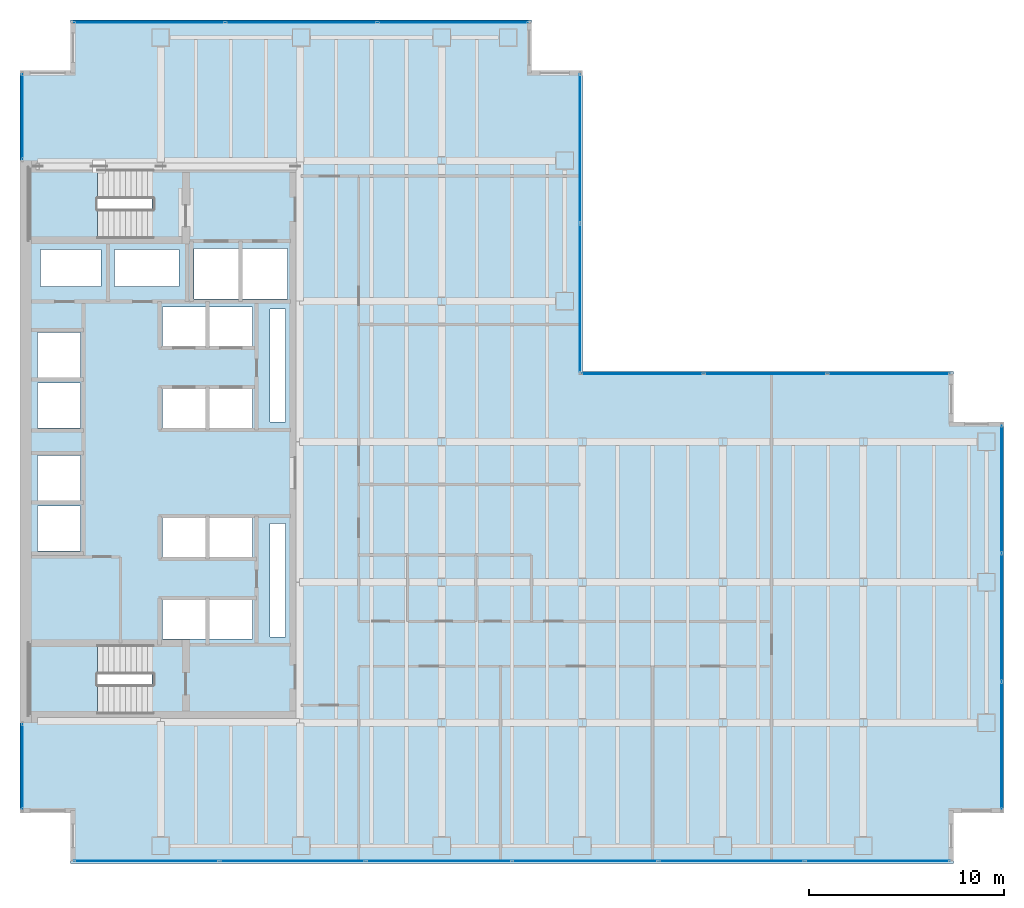
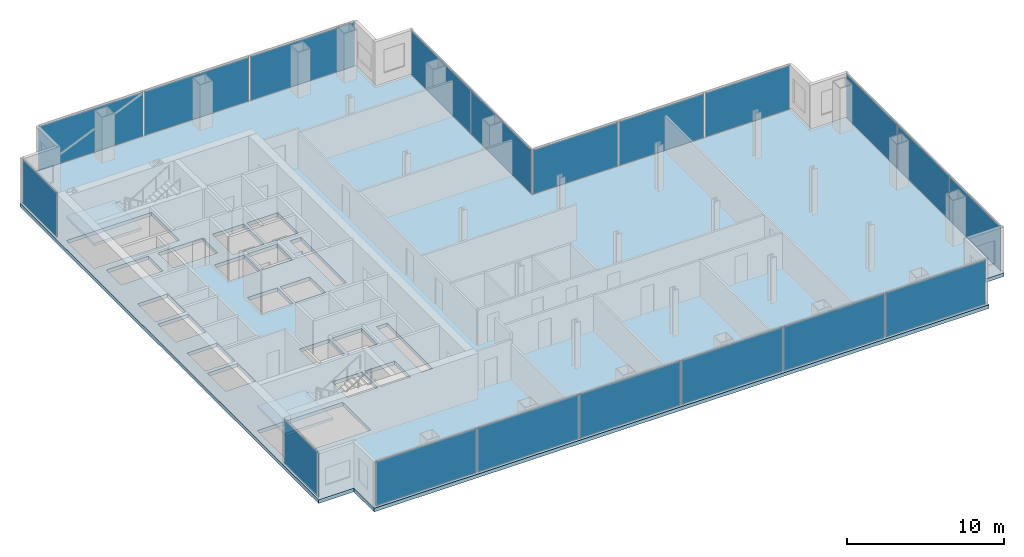
# One storey, part 19 of 23: 19 plates, 3 slabs, 20 openings, 9 elements without a shape of their own.
"""IFC4 building model written with IfcOpenShell, lengths in metres."""

from ifc_helpers import new_model, si_unit, direction, frame, origin, origin_2d, place, context, subcontext, project, spatial, polyline, rectangle, outline, extrude, material, layer, layer_set, type_object, element, aggregate, save


model = new_model("IFC4")

# Units and contexts
model_context = context("Model", 3, precision=1e-05, world=origin(), true_north=direction((0.0, 1.0)))
body_context = subcontext(model_context, "Body", "Model", "MODEL_VIEW")
ifc_project = project(units=[si_unit("LENGTHUNIT", "METRE"), si_unit("AREAUNIT", "SQUARE_METRE"), si_unit("VOLUMEUNIT", "CUBIC_METRE"), si_unit("PLANEANGLEUNIT", "RADIAN"), si_unit("MASSUNIT", "GRAM", prefix="KILO")], contexts=[model_context])

# Site, building, storey
site_placement = place(None, origin())
site = spatial("IfcSite", under=ifc_project, at=site_placement, CompositionType="ELEMENT")
building_placement = place(site_placement, origin())
building = spatial("IfcBuilding", under=site, at=building_placement, Name="Cobrela Telecom Tower", CompositionType="ELEMENT")
storey_placement = place(building_placement, frame((0.0, 0.0, 88.89990234375)))
storey = spatial("IfcBuildingStorey", under=building, at=storey_placement, Name="L22", CompositionType="ELEMENT", Elevation=88.89990234375)

# Curtain wall, plate
ifc_material_1 = material(Name="Anodized Bronze Aluminium 6063-T6", Category="aluminium")
curtain_wall_type = type_object("IfcCurtainWallType", Name="CW-SYS-DATA", PredefinedType="USERDEFINED", material=ifc_material_1)
curtain_wall_1_placement = place(storey_placement, origin())
curtain_wall_1 = element("IfcCurtainWall", 1, at=curtain_wall_1_placement, inside=storey, type_object=curtain_wall_type, Name="L22 Unitised Bronze Curtain Wall 03", ObjectType="UNITISED CURTAIN WALL", PredefinedType="USERDEFINED")
ifc_material_2 = material(Name="Solar-Control Bronze Low-E Glass", Category="glass")
ifc_layer_1 = layer(ifc_material_2, 0.0380859375)
ifc_layer_set_1 = layer_set([ifc_layer_1], Name="Solar-Control Bronze Low-E Glass")
plate_type = type_object("IfcPlateType", Name="CW-SYS-DATA-PNL", PredefinedType="CURTAIN_PANEL", material=ifc_layer_set_1)
plate_1_placement = place(storey_placement, frame((0.1201171875, 4.955078125, 0.0751953125), z_axis=(0.0, 0.0, 1.0), x_axis=(0.0, 1.0, 0.0)))
plate_1 = element("IfcPlate", 2, at=plate_1_placement, type_object=plate_type, Name="CW-DATA panel 1.1", PredefinedType="CURTAIN_PANEL", context=body_context, shape_type="SweptSolid", body=[
    extrude(rectangle(XDim=4.330078125, YDim=0.0380859375, at=origin_2d()), origin(), (0.0, 0.0, 1.0), 3.419921875),
])
aggregate(curtain_wall_1, [plate_1])

curtain_wall_2_placement = place(storey_placement, origin())
curtain_wall_2 = element("IfcCurtainWall", 3, at=curtain_wall_2_placement, inside=storey, type_object=curtain_wall_type, Name="L22 Unitised Bronze Curtain Wall 04", ObjectType="UNITISED CURTAIN WALL", PredefinedType="USERDEFINED")
plate_2_placement = place(storey_placement, frame((0.1201171875, 38.2451171875, 0.0751953125), z_axis=(0.0, 0.0, 1.0), x_axis=(0.0, 1.0, 0.0)))
plate_2 = element("IfcPlate", 4, at=plate_2_placement, type_object=plate_type, Name="CW-DATA panel 1.1", PredefinedType="CURTAIN_PANEL", context=body_context, shape_type="SweptSolid", body=[
    extrude(rectangle(XDim=4.330078125, YDim=0.0380859375, at=origin_2d()), origin(), (0.0, 0.0, 1.0), 3.419921875),
])
aggregate(curtain_wall_2, [plate_2])

# Curtain wall, plates
curtain_wall_3_placement = place(storey_placement, origin())
curtain_wall_3 = element("IfcCurtainWall", 5, at=curtain_wall_3_placement, inside=storey, type_object=curtain_wall_type, Name="L22 Unitised Bronze Curtain Wall 07", ObjectType="UNITISED CURTAIN WALL", PredefinedType="USERDEFINED")
plate_3_placement = place(storey_placement, frame((6.626708984375, 43.080078125, 0.0751953125), z_axis=(0.0, 0.0, 1.0), x_axis=(1.0, 0.0, 0.0)))
plate_3 = element("IfcPlate", 6, at=plate_3_placement, type_object=plate_type, Name="CW-DATA panel 1.1", PredefinedType="CURTAIN_PANEL", context=body_context, shape_type="SweptSolid", body=[
    extrude(rectangle(XDim=7.67333984375, YDim=0.0380859375, at=origin_2d()), origin(), (0.0, 0.0, 1.0), 3.419921875),
])
plate_4_placement = place(storey_placement, frame((14.39990234375, 43.080078125, 0.0751953125), z_axis=(0.0, 0.0, 1.0), x_axis=(1.0, 0.0, 0.0)))
plate_4 = element("IfcPlate", 7, at=plate_4_placement, type_object=plate_type, Name="CW-DATA panel 2.1", PredefinedType="CURTAIN_PANEL", context=body_context, shape_type="SweptSolid", body=[
    extrude(rectangle(XDim=7.71337890625, YDim=0.0380859375, at=origin_2d()), origin(), (0.0, 0.0, 1.0), 3.419921875),
])
plate_5_placement = place(storey_placement, frame((22.17333984375, 43.080078125, 0.0751953125), z_axis=(0.0, 0.0, 1.0), x_axis=(1.0, 0.0, 0.0)))
plate_5 = element("IfcPlate", 8, at=plate_5_placement, type_object=plate_type, Name="CW-DATA panel 3.1", PredefinedType="CURTAIN_PANEL", context=body_context, shape_type="SweptSolid", body=[
    extrude(rectangle(XDim=7.67333984375, YDim=0.0380859375, at=origin_2d()), origin(), (0.0, 0.0, 1.0), 3.419921875),
])
aggregate(curtain_wall_3, [plate_3, plate_4, plate_5])

curtain_wall_4_placement = place(storey_placement, origin())
curtain_wall_4 = element("IfcCurtainWall", 9, at=curtain_wall_4_placement, inside=storey, type_object=curtain_wall_type, Name="L22 Unitised Bronze Curtain Wall 10", ObjectType="UNITISED CURTAIN WALL", PredefinedType="USERDEFINED")
plate_6_placement = place(storey_placement, frame((28.679931640625, 36.617431640625, 0.0751953125), z_axis=(0.0, 0.0, 1.0), x_axis=(0.0, -1.0, 0.0)))
plate_6 = element("IfcPlate", 10, at=plate_6_placement, type_object=plate_type, Name="CW-DATA panel 1.1", PredefinedType="CURTAIN_PANEL", context=body_context, shape_type="SweptSolid", body=[
    extrude(rectangle(XDim=7.5849609375, YDim=0.0380859375, at=origin_2d()), origin(), (0.0, 0.0, 1.0), 3.419921875),
])
plate_7_placement = place(storey_placement, frame((28.679931640625, 28.952392578125, 0.0751953125), z_axis=(0.0, 0.0, 1.0), x_axis=(0.0, -1.0, 0.0)))
plate_7 = element("IfcPlate", 11, at=plate_7_placement, type_object=plate_type, Name="CW-DATA panel 2.1", PredefinedType="CURTAIN_PANEL", context=body_context, shape_type="SweptSolid", body=[
    extrude(rectangle(XDim=7.5849609375, YDim=0.0380859375, at=origin_2d()), origin(), (0.0, 0.0, 1.0), 3.419921875),
])
aggregate(curtain_wall_4, [plate_6, plate_7])

curtain_wall_5_placement = place(storey_placement, origin())
curtain_wall_5 = element("IfcCurtainWall", 12, at=curtain_wall_5_placement, inside=storey, type_object=curtain_wall_type, Name="L22 Unitised Bronze Curtain Wall 11", ObjectType="UNITISED CURTAIN WALL", PredefinedType="USERDEFINED")
plate_8_placement = place(storey_placement, frame((31.868408203125, 25.080078125, 0.0751953125), z_axis=(0.0, 0.0, 1.0), x_axis=(1.0, 0.0, 0.0)))
plate_8 = element("IfcPlate", 13, at=plate_8_placement, type_object=plate_type, Name="CW-DATA panel 1.1", PredefinedType="CURTAIN_PANEL", context=body_context, shape_type="SweptSolid", body=[
    extrude(rectangle(XDim=6.216552734375, YDim=0.0380859375, at=origin_2d()), origin(), (0.0, 0.0, 1.0), 3.419921875),
])
plate_9_placement = place(storey_placement, frame((38.18505859375, 25.080078125, 0.0751953125), z_axis=(0.0, 0.0, 1.0), x_axis=(1.0, 0.0, 0.0)))
plate_9 = element("IfcPlate", 14, at=plate_9_placement, type_object=plate_type, Name="CW-DATA panel 2.1", PredefinedType="CURTAIN_PANEL", context=body_context, shape_type="SweptSolid", body=[
    extrude(rectangle(XDim=6.256591796875, YDim=0.0380859375, at=origin_2d()), origin(), (0.0, 0.0, 1.0), 3.419921875),
])
plate_10_placement = place(storey_placement, frame((44.501708984375, 25.080078125, 0.0751953125), z_axis=(0.0, 0.0, 1.0), x_axis=(1.0, 0.0, 0.0)))
plate_10 = element("IfcPlate", 15, at=plate_10_placement, type_object=plate_type, Name="CW-DATA panel 3.1", PredefinedType="CURTAIN_PANEL", context=body_context, shape_type="SweptSolid", body=[
    extrude(rectangle(XDim=6.216552734375, YDim=0.0380859375, at=origin_2d()), origin(), (0.0, 0.0, 1.0), 3.419921875),
])
aggregate(curtain_wall_5, [plate_8, plate_9, plate_10])

curtain_wall_6_placement = place(storey_placement, origin())
curtain_wall_6 = element("IfcCurtainWall", 16, at=curtain_wall_6_placement, inside=storey, type_object=curtain_wall_type, Name="L22 Unitised Bronze Curtain Wall 14", ObjectType="UNITISED CURTAIN WALL", PredefinedType="USERDEFINED")
plate_11_placement = place(storey_placement, frame((50.280029296875, 19.17333984375, 0.0751953125), z_axis=(0.0, 0.0, 1.0), x_axis=(0.0, -1.0, 0.0)))
plate_11 = element("IfcPlate", 17, at=plate_11_placement, type_object=plate_type, Name="CW-DATA panel 1.1", PredefinedType="CURTAIN_PANEL", context=body_context, shape_type="SweptSolid", body=[
    extrude(rectangle(XDim=6.473388671875, YDim=0.0380859375, at=origin_2d()), origin(), (0.0, 0.0, 1.0), 3.419921875),
])
plate_12_placement = place(storey_placement, frame((50.280029296875, 12.60009765625, 0.0751953125), z_axis=(0.0, 0.0, 1.0), x_axis=(0.0, -1.0, 0.0)))
plate_12 = element("IfcPlate", 18, at=plate_12_placement, type_object=plate_type, Name="CW-DATA panel 2.1", PredefinedType="CURTAIN_PANEL", context=body_context, shape_type="SweptSolid", body=[
    extrude(rectangle(XDim=6.513427734375, YDim=0.0380859375, at=origin_2d()), origin(), (0.0, 0.0, 1.0), 3.419921875),
])
plate_13_placement = place(storey_placement, frame((50.280029296875, 6.026611328125, 0.0751953125), z_axis=(0.0, 0.0, 1.0), x_axis=(0.0, -1.0, 0.0)))
plate_13 = element("IfcPlate", 19, at=plate_13_placement, type_object=plate_type, Name="CW-DATA panel 3.1", PredefinedType="CURTAIN_PANEL", context=body_context, shape_type="SweptSolid", body=[
    extrude(rectangle(XDim=6.473388671875, YDim=0.0380859375, at=origin_2d()), origin(), (0.0, 0.0, 1.0), 3.419921875),
])
aggregate(curtain_wall_6, [plate_11, plate_12, plate_13])

curtain_wall_7_placement = place(storey_placement, origin())
curtain_wall_7 = element("IfcCurtainWall", 20, at=curtain_wall_7_placement, inside=storey, type_object=curtain_wall_type, Name="L22 Unitised Bronze Curtain Wall 17", ObjectType="UNITISED CURTAIN WALL", PredefinedType="USERDEFINED")
plate_14_placement = place(storey_placement, frame((43.921630859375, 0.1201171875, 0.0751953125), z_axis=(0.0, 0.0, 1.0), x_axis=(-1.0, 0.0, 0.0)))
plate_14 = element("IfcPlate", 21, at=plate_14_placement, type_object=plate_type, Name="CW-DATA panel 1.1", PredefinedType="CURTAIN_PANEL", context=body_context, shape_type="SweptSolid", body=[
    extrude(rectangle(XDim=7.376708984375, YDim=0.0380859375, at=origin_2d()), origin(), (0.0, 0.0, 1.0), 3.419921875),
])
plate_15_placement = place(storey_placement, frame((36.445068359375, 0.1201171875, 0.0751953125), z_axis=(0.0, 0.0, 1.0), x_axis=(-1.0, 0.0, 0.0)))
plate_15 = element("IfcPlate", 22, at=plate_15_placement, type_object=plate_type, Name="CW-DATA panel 2.1", PredefinedType="CURTAIN_PANEL", context=body_context, shape_type="SweptSolid", body=[
    extrude(rectangle(XDim=7.416748046875, YDim=0.0380859375, at=origin_2d()), origin(), (0.0, 0.0, 1.0), 3.419921875),
])
plate_16_placement = place(storey_placement, frame((28.9482421875, 0.1201171875, 0.0751953125), z_axis=(0.0, 0.0, 1.0), x_axis=(-1.0, 0.0, 0.0)))
plate_16 = element("IfcPlate", 23, at=plate_16_placement, type_object=plate_type, Name="CW-DATA panel 3.1", PredefinedType="CURTAIN_PANEL", context=body_context, shape_type="SweptSolid", body=[
    extrude(rectangle(XDim=7.416748046875, YDim=0.0380859375, at=origin_2d()), origin(), (0.0, 0.0, 1.0), 3.419921875),
])
plate_17_placement = place(storey_placement, frame((21.45166015625, 0.1201171875, 0.0751953125), z_axis=(0.0, 0.0, 1.0), x_axis=(-1.0, 0.0, 0.0)))
plate_17 = element("IfcPlate", 24, at=plate_17_placement, type_object=plate_type, Name="CW-DATA panel 4.1", PredefinedType="CURTAIN_PANEL", context=body_context, shape_type="SweptSolid", body=[
    extrude(rectangle(XDim=7.416748046875, YDim=0.0380859375, at=origin_2d()), origin(), (0.0, 0.0, 1.0), 3.419921875),
])
plate_18_placement = place(storey_placement, frame((13.955078125, 0.1201171875, 0.0751953125), z_axis=(0.0, 0.0, 1.0), x_axis=(-1.0, 0.0, 0.0)))
plate_18 = element("IfcPlate", 25, at=plate_18_placement, type_object=plate_type, Name="CW-DATA panel 5.1", PredefinedType="CURTAIN_PANEL", context=body_context, shape_type="SweptSolid", body=[
    extrude(rectangle(XDim=7.416748046875, YDim=0.0380859375, at=origin_2d()), origin(), (0.0, 0.0, 1.0), 3.419921875),
])
plate_19_placement = place(storey_placement, frame((6.478271484375, 0.1201171875, 0.0751953125), z_axis=(0.0, 0.0, 1.0), x_axis=(-1.0, 0.0, 0.0)))
plate_19 = element("IfcPlate", 26, at=plate_19_placement, type_object=plate_type, Name="CW-DATA panel 6.1", PredefinedType="CURTAIN_PANEL", context=body_context, shape_type="SweptSolid", body=[
    extrude(rectangle(XDim=7.376708984375, YDim=0.0380859375, at=origin_2d()), origin(), (0.0, 0.0, 1.0), 3.419921875),
])
aggregate(curtain_wall_7, [plate_14, plate_15, plate_16, plate_17, plate_18, plate_19])

# Slab, openings
ifc_material_3 = material(Name="Concrete C40/50", Category="concrete")
ifc_layer_2 = layer(ifc_material_3, 0.280029296875)
ifc_layer_set_2 = layer_set([ifc_layer_2], Name="Concrete C40/50")
slab_type_1 = type_object("IfcSlabType", Name="SLAB-FLR-280", PredefinedType="FLOOR", material=ifc_layer_set_2)
slab_1_placement = place(storey_placement, frame((0.0, 0.0, -0.27978515625)))
slab_1 = element("IfcSlab", 27, at=slab_1_placement, inside=storey, type_object=slab_type_1, Name="L22 Structural Floor Slab", PredefinedType="FLOOR", context=body_context, shape_type="SweptSolid", body=[
    extrude(outline(polyline([(2.590087890625, 0.0), (47.81005859375, 0.0), (47.81005859375, 2.590087890625), (50.39990234375, 2.590087890625), (50.39990234375, 22.610107421875), (47.81005859375, 22.610107421875), (47.81005859375, 25.199951171875), (28.800048828125, 25.199951171875), (28.800048828125, 40.610107421875), (26.2099609375, 40.610107421875), (26.2099609375, 43.199951171875), (2.590087890625, 43.199951171875), (2.590087890625, 40.610107421875), (0.0, 40.610107421875), (0.0, 2.590087890625), (2.590087890625, 2.590087890625), (2.590087890625, 0.0)])), origin(), (0.0, 0.0, 1.0), 0.27978515625),
])
opening_1_placement = place(slab_1_placement, frame((0.0, 0.0, -0.02001953125)))
element("IfcOpeningElement", 28, at=opening_1_placement, cuts=slab_1, Name="Slab Shaft Opening SLAB-L22-MAIN.1", PredefinedType="OPENING", context=body_context, shape_type="SweptSolid", body=[
    extrude(outline(polyline([(8.89990234375, 28.89990234375), (11.199951171875, 28.89990234375), (11.199951171875, 31.5), (8.89990234375, 31.5), (8.89990234375, 28.89990234375)])), origin(), (0.0, 0.0, 1.0), 0.31982421875),
])
opening_2_placement = place(slab_1_placement, frame((0.0, 0.0, -0.02001953125)))
element("IfcOpeningElement", 29, at=opening_2_placement, cuts=slab_1, Name="Slab Shaft Opening SLAB-L22-MAIN.2", PredefinedType="OPENING", context=body_context, shape_type="SweptSolid", body=[
    extrude(outline(polyline([(11.39990234375, 28.89990234375), (13.699951171875, 28.89990234375), (13.699951171875, 31.5), (11.39990234375, 31.5), (11.39990234375, 28.89990234375)])), origin(), (0.0, 0.0, 1.0), 0.31982421875),
])
opening_3_placement = place(slab_1_placement, frame((0.0, 0.0, -0.02001953125)))
element("IfcOpeningElement", 30, at=opening_3_placement, cuts=slab_1, Name="Slab Shaft Opening SLAB-L22-MAIN.3", PredefinedType="OPENING", context=body_context, shape_type="SweptSolid", body=[
    extrude(outline(polyline([(7.300048828125, 22.300048828125), (9.5, 22.300048828125), (9.5, 24.300048828125), (7.300048828125, 24.300048828125), (7.300048828125, 22.300048828125)])), origin(), (0.0, 0.0, 1.0), 0.31982421875),
])
opening_4_placement = place(slab_1_placement, frame((0.0, 0.0, -0.02001953125)))
element("IfcOpeningElement", 31, at=opening_4_placement, cuts=slab_1, Name="Slab Shaft Opening SLAB-L22-MAIN.4", PredefinedType="OPENING", context=body_context, shape_type="SweptSolid", body=[
    extrude(outline(polyline([(9.699951171875, 22.300048828125), (11.89990234375, 22.300048828125), (11.89990234375, 24.300048828125), (9.699951171875, 24.300048828125), (9.699951171875, 22.300048828125)])), origin(), (0.0, 0.0, 1.0), 0.31982421875),
])
opening_5_placement = place(slab_1_placement, frame((0.0, 0.0, -0.02001953125)))
element("IfcOpeningElement", 32, at=opening_5_placement, cuts=slab_1, Name="Slab Shaft Opening SLAB-L22-MAIN.5", PredefinedType="OPENING", context=body_context, shape_type="SweptSolid", body=[
    extrude(outline(polyline([(7.300048828125, 26.5), (9.5, 26.5), (9.5, 28.5), (7.300048828125, 28.5), (7.300048828125, 26.5)])), origin(), (0.0, 0.0, 1.0), 0.31982421875),
])
opening_6_placement = place(slab_1_placement, frame((0.0, 0.0, -0.02001953125)))
element("IfcOpeningElement", 33, at=opening_6_placement, cuts=slab_1, Name="Slab Shaft Opening SLAB-L22-MAIN.6", PredefinedType="OPENING", context=body_context, shape_type="SweptSolid", body=[
    extrude(outline(polyline([(9.699951171875, 26.5), (11.89990234375, 26.5), (11.89990234375, 28.5), (9.699951171875, 28.5), (9.699951171875, 26.5)])), origin(), (0.0, 0.0, 1.0), 0.31982421875),
])
opening_7_placement = place(slab_1_placement, frame((0.0, 0.0, -0.02001953125)))
element("IfcOpeningElement", 34, at=opening_7_placement, cuts=slab_1, Name="Slab Shaft Opening SLAB-L22-MAIN.7", PredefinedType="OPENING", context=body_context, shape_type="SweptSolid", body=[
    extrude(outline(polyline([(7.300048828125, 15.699951171875), (9.5, 15.699951171875), (9.5, 17.699951171875), (7.300048828125, 17.699951171875), (7.300048828125, 15.699951171875)])), origin(), (0.0, 0.0, 1.0), 0.31982421875),
])
opening_8_placement = place(slab_1_placement, frame((0.0, 0.0, -0.02001953125)))
element("IfcOpeningElement", 35, at=opening_8_placement, cuts=slab_1, Name="Slab Shaft Opening SLAB-L22-MAIN.8", PredefinedType="OPENING", context=body_context, shape_type="SweptSolid", body=[
    extrude(outline(polyline([(9.699951171875, 15.699951171875), (11.89990234375, 15.699951171875), (11.89990234375, 17.699951171875), (9.699951171875, 17.699951171875), (9.699951171875, 15.699951171875)])), origin(), (0.0, 0.0, 1.0), 0.31982421875),
])
opening_9_placement = place(slab_1_placement, frame((0.0, 0.0, -0.02001953125)))
element("IfcOpeningElement", 36, at=opening_9_placement, cuts=slab_1, Name="Slab Shaft Opening SLAB-L22-MAIN.9", PredefinedType="OPENING", context=body_context, shape_type="SweptSolid", body=[
    extrude(outline(polyline([(7.300048828125, 11.5), (9.5, 11.5), (9.5, 13.5), (7.300048828125, 13.5), (7.300048828125, 11.5)])), origin(), (0.0, 0.0, 1.0), 0.31982421875),
])
opening_10_placement = place(slab_1_placement, frame((0.0, 0.0, -0.02001953125)))
element("IfcOpeningElement", 37, at=opening_10_placement, cuts=slab_1, Name="Slab Shaft Opening SLAB-L22-MAIN.10", PredefinedType="OPENING", context=body_context, shape_type="SweptSolid", body=[
    extrude(outline(polyline([(9.699951171875, 11.5), (11.89990234375, 11.5), (11.89990234375, 13.5), (9.699951171875, 13.5), (9.699951171875, 11.5)])), origin(), (0.0, 0.0, 1.0), 0.31982421875),
])
opening_11_placement = place(slab_1_placement, frame((0.0, 0.0, -0.02001953125)))
element("IfcOpeningElement", 38, at=opening_11_placement, cuts=slab_1, Name="Slab Shaft Opening SLAB-L22-MAIN.11", PredefinedType="OPENING", context=body_context, shape_type="SweptSolid", body=[
    extrude(outline(polyline([(0.89990234375, 16.0), (3.10009765625, 16.0), (3.10009765625, 18.300048828125), (0.89990234375, 18.300048828125), (0.89990234375, 16.0)])), origin(), (0.0, 0.0, 1.0), 0.31982421875),
])
opening_12_placement = place(slab_1_placement, frame((0.0, 0.0, -0.02001953125)))
element("IfcOpeningElement", 39, at=opening_12_placement, cuts=slab_1, Name="Slab Shaft Opening SLAB-L22-MAIN.12", PredefinedType="OPENING", context=body_context, shape_type="SweptSolid", body=[
    extrude(outline(polyline([(0.89990234375, 18.60009765625), (3.10009765625, 18.60009765625), (3.10009765625, 20.89990234375), (0.89990234375, 20.89990234375), (0.89990234375, 18.60009765625)])), origin(), (0.0, 0.0, 1.0), 0.31982421875),
])
opening_13_placement = place(slab_1_placement, frame((0.0, 0.0, -0.02001953125)))
element("IfcOpeningElement", 40, at=opening_13_placement, cuts=slab_1, Name="Slab Shaft Opening SLAB-L22-MAIN.13", PredefinedType="OPENING", context=body_context, shape_type="SweptSolid", body=[
    extrude(outline(polyline([(0.89990234375, 22.300048828125), (3.10009765625, 22.300048828125), (3.10009765625, 24.60009765625), (0.89990234375, 24.60009765625), (0.89990234375, 22.300048828125)])), origin(), (0.0, 0.0, 1.0), 0.31982421875),
])
opening_14_placement = place(slab_1_placement, frame((0.0, 0.0, -0.02001953125)))
element("IfcOpeningElement", 41, at=opening_14_placement, cuts=slab_1, Name="Slab Shaft Opening SLAB-L22-MAIN.14", PredefinedType="OPENING", context=body_context, shape_type="SweptSolid", body=[
    extrude(outline(polyline([(0.89990234375, 24.89990234375), (3.10009765625, 24.89990234375), (3.10009765625, 27.199951171875), (0.89990234375, 27.199951171875), (0.89990234375, 24.89990234375)])), origin(), (0.0, 0.0, 1.0), 0.31982421875),
])
opening_15_placement = place(slab_1_placement, frame((0.0, 0.0, -0.02001953125)))
element("IfcOpeningElement", 42, at=opening_15_placement, cuts=slab_1, Name="Slab Shaft Opening SLAB-L22-MAIN.15", PredefinedType="OPENING", context=body_context, shape_type="SweptSolid", body=[
    extrude(outline(polyline([(1.050048828125, 29.550048828125), (4.14990234375, 29.550048828125), (4.14990234375, 31.449951171875), (1.050048828125, 31.449951171875), (1.050048828125, 29.550048828125)])), origin(), (0.0, 0.0, 1.0), 0.31982421875),
])
opening_16_placement = place(slab_1_placement, frame((0.0, 0.0, -0.02001953125)))
element("IfcOpeningElement", 43, at=opening_16_placement, cuts=slab_1, Name="Slab Shaft Opening SLAB-L22-MAIN.16", PredefinedType="OPENING", context=body_context, shape_type="SweptSolid", body=[
    extrude(outline(polyline([(4.85009765625, 29.550048828125), (8.14990234375, 29.550048828125), (8.14990234375, 31.449951171875), (4.85009765625, 31.449951171875), (4.85009765625, 29.550048828125)])), origin(), (0.0, 0.0, 1.0), 0.31982421875),
])
opening_17_placement = place(slab_1_placement, frame((0.0, 0.0, -0.02001953125)))
element("IfcOpeningElement", 44, at=opening_17_placement, cuts=slab_1, Name="Slab Shaft Opening SLAB-L22-MAIN.17", PredefinedType="OPENING", context=body_context, shape_type="SweptSolid", body=[
    extrude(outline(polyline([(12.800048828125, 22.60009765625), (13.60009765625, 22.60009765625), (13.60009765625, 28.39990234375), (12.800048828125, 28.39990234375), (12.800048828125, 22.60009765625)])), origin(), (0.0, 0.0, 1.0), 0.31982421875),
])
opening_18_placement = place(slab_1_placement, frame((0.0, 0.0, -0.02001953125)))
element("IfcOpeningElement", 45, at=opening_18_placement, cuts=slab_1, Name="Slab Shaft Opening SLAB-L22-MAIN.18", PredefinedType="OPENING", context=body_context, shape_type="SweptSolid", body=[
    extrude(outline(polyline([(12.800048828125, 11.60009765625), (13.60009765625, 11.60009765625), (13.60009765625, 17.39990234375), (12.800048828125, 17.39990234375), (12.800048828125, 11.60009765625)])), origin(), (0.0, 0.0, 1.0), 0.31982421875),
])
opening_19_placement = place(slab_1_placement, frame((0.0, 0.0, -0.02001953125)))
element("IfcOpeningElement", 46, at=opening_19_placement, cuts=slab_1, Name="Slab Shaft Opening SLAB-L22-MAIN.19", PredefinedType="OPENING", context=body_context, shape_type="SweptSolid", body=[
    extrude(outline(polyline([(6.7548828125, 35.550048828125), (0.47998046875, 35.550048828125), (0.47998046875, 32.0), (6.7548828125, 32.0), (6.7548828125, 35.550048828125)])), origin(), (0.0, 0.0, 1.0), 0.31982421875),
])
opening_20_placement = place(slab_1_placement, frame((0.0, 0.0, -0.02001953125)))
element("IfcOpeningElement", 47, at=opening_20_placement, cuts=slab_1, Name="Slab Shaft Opening SLAB-L22-MAIN.20", PredefinedType="OPENING", context=body_context, shape_type="SweptSolid", body=[
    extrude(outline(polyline([(6.7548828125, 11.199951171875), (0.47998046875, 11.199951171875), (0.47998046875, 7.64990234375), (6.7548828125, 7.64990234375), (6.7548828125, 11.199951171875)])), origin(), (0.0, 0.0, 1.0), 0.31982421875),
])

# Stair, slab
stair_type = type_object("IfcStairType", Name="STAIR-CORE", PredefinedType="HALF_TURN_STAIR", material=ifc_material_3)
stair_1_placement = place(storey_placement, origin())
stair_1 = element("IfcStair", 48, at=stair_1_placement, inside=storey, type_object=stair_type, Name="L22 Smokeproof Exit Stair ST1", PredefinedType="HALF_TURN_STAIR")
ifc_layer_3 = layer(ifc_material_3, 0.199951171875)
ifc_layer_set_3 = layer_set([ifc_layer_3], Name="Concrete C40/50")
slab_type_2 = type_object("IfcSlabType", Name="SLAB-LAND-200", PredefinedType="LANDING", material=ifc_layer_set_3)
slab_2_placement = place(storey_placement, frame((0.0, 0.0, 1.72509765625)))
slab_2 = element("IfcSlab", 49, at=slab_2_placement, type_object=slab_type_2, Name="ST1 landing 1", PredefinedType="LANDING", context=body_context, shape_type="SweptSolid", body=[
    extrude(outline(polyline([(3.969970703125, 35.550048828125), (0.47998046875, 35.550048828125), (0.47998046875, 32.0), (3.969970703125, 32.0), (3.969970703125, 35.550048828125)])), origin(), (0.0, 0.0, 1.0), 0.199951171875),
])
aggregate(stair_1, [slab_2])

stair_2_placement = place(storey_placement, origin())
stair_2 = element("IfcStair", 50, at=stair_2_placement, inside=storey, type_object=stair_type, Name="L22 Smokeproof Exit Stair ST2", PredefinedType="HALF_TURN_STAIR")
slab_3_placement = place(storey_placement, frame((0.0, 0.0, 1.72509765625)))
slab_3 = element("IfcSlab", 51, at=slab_3_placement, type_object=slab_type_2, Name="ST2 landing 1", PredefinedType="LANDING", context=body_context, shape_type="SweptSolid", body=[
    extrude(outline(polyline([(3.969970703125, 11.199951171875), (0.47998046875, 11.199951171875), (0.47998046875, 7.64990234375), (3.969970703125, 7.64990234375), (3.969970703125, 11.199951171875)])), origin(), (0.0, 0.0, 1.0), 0.199951171875),
])
aggregate(stair_2, [slab_3])

save(model, "model.ifc")
